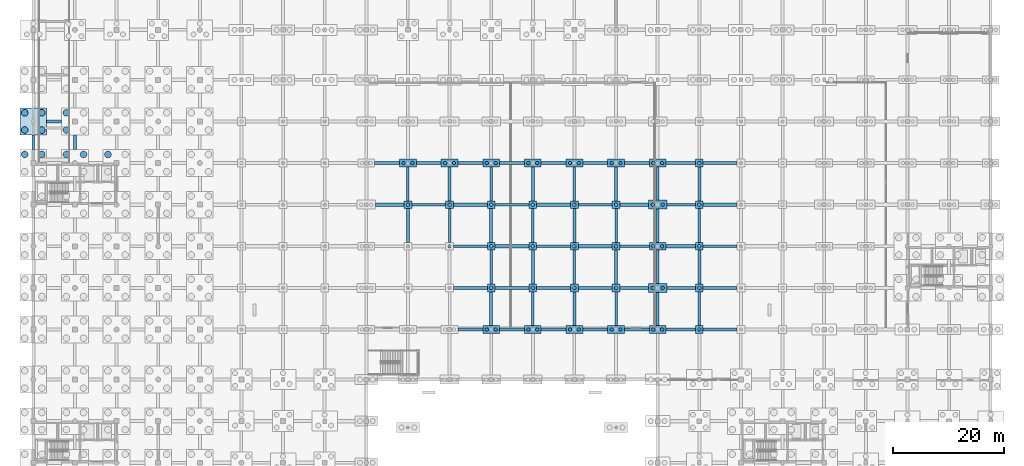
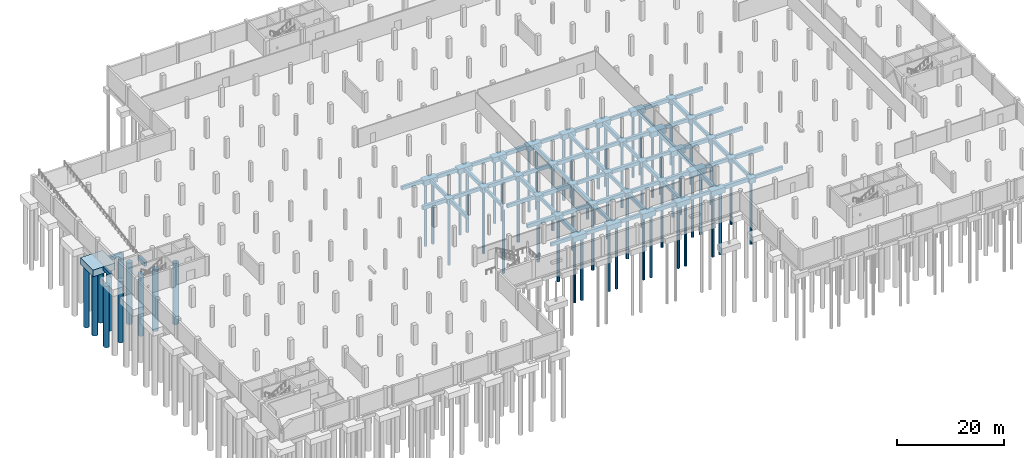
# One storey, part 5 of 42: 105 footings, 61 piles.
"""IFC4 building model written with IfcOpenShell, lengths in metres."""

from ifc_helpers import new_model, si_unit, direction, frame, origin, origin_2d, place, context, subcontext, project, spatial, rectangle, circle, extrude, material, material_profile, profile_set, type_object, element, save


model = new_model("IFC4")

# Units and contexts
model_context = context("Model", 3, precision=1e-05, world=origin(), true_north=direction((0.0, 1.0)))
body_context = subcontext(model_context, "Body", "Model", "MODEL_VIEW")
ifc_project = project(units=[si_unit("LENGTHUNIT", "METRE"), si_unit("AREAUNIT", "SQUARE_METRE"), si_unit("VOLUMEUNIT", "CUBIC_METRE"), si_unit("PLANEANGLEUNIT", "RADIAN"), si_unit("MASSUNIT", "GRAM", prefix="KILO")], contexts=[model_context])

# Site, building, storey
site_placement = place(None, origin())
site = spatial("IfcSite", under=ifc_project, at=site_placement, CompositionType="ELEMENT")
building_placement = place(site_placement, origin())
building = spatial("IfcBuilding", under=site, at=building_placement, Name="Dalvernix Boulevard General Hospital", CompositionType="ELEMENT")
storey_placement = place(building_placement, frame((0.0, 0.0, -4.5)))
storey = spatial("IfcBuildingStorey", under=building, at=storey_placement, Name="B1", CompositionType="ELEMENT", Elevation=-4.5)

# Footings
ifc_material_1 = material(Name="Concrete C35/45", Category="concrete")
footing_type_1 = type_object("IfcFootingType", Name="FTG-GB-01", PredefinedType="FOOTING_BEAM", material=ifc_material_1)
for number, where, z_axis, x_axis, name in (
    (1, (78.75, 31.5, -1.2998046875), (0.0, 0.0, 1.0), (1.0, 0.0, 0.0), "Ground beam E:11-12"),
    (2, (93.75, 31.5, -1.2998046875), (0.0, 0.0, 1.0), (1.0, 0.0, 0.0), "Ground beam E:13-14"),
    (3, (108.75, 31.5, -1.2998046875), (0.0, 0.0, 1.0), (1.0, 0.0, 0.0), "Ground beam E:15-16"),
):
    element("IfcFooting", number, at=place(storey_placement, frame(where, z_axis=z_axis, x_axis=x_axis)), inside=storey, type_object=footing_type_1, Name=name, PredefinedType="FOOTING_BEAM", context=body_context, shape_type="SweptSolid", body=[
        extrude(rectangle(XDim=4.5, YDim=0.5, at=origin_2d()), origin(), (0.0, 0.0, 1.0), 0.800048828125),
    ])
for number, where, z_axis, x_axis, name in (
    (4, (123.75, 31.5, -1.2998046875), (0.0, 0.0, 1.0), (1.0, 0.0, 0.0), "Ground beam E:17-18"),
    (5, (86.25, 39.0, -1.2998046875), (0.0, 0.0, 1.0), (1.0, 0.0, 0.0), "Ground beam F:12-13"),
    (6, (101.25, 39.0, -1.2998046875), (0.0, 0.0, 1.0), (1.0, 0.0, 0.0), "Ground beam F:14-15"),
):
    element("IfcFooting", number, at=place(storey_placement, frame(where, z_axis=z_axis, x_axis=x_axis)), inside=storey, type_object=footing_type_1, Name=name, PredefinedType="FOOTING_BEAM", context=body_context, shape_type="SweptSolid", body=[
        extrude(rectangle(XDim=6.10009765625, YDim=0.5, at=origin_2d()), origin(), (0.0, 0.0, 1.0), 0.800048828125),
    ])
footing_1_placement = place(storey_placement, frame((116.75, 39.0, -1.2998046875), z_axis=(0.0, 0.0, 1.0), x_axis=(1.0, 0.0, 0.0)))
element("IfcFooting", 7, at=footing_1_placement, inside=storey, type_object=footing_type_1, Name="Ground beam F:16-17", PredefinedType="FOOTING_BEAM", context=body_context, shape_type="SweptSolid", body=[
    extrude(rectangle(XDim=5.10009765625, YDim=0.5, at=origin_2d()), origin(), (0.0, 0.0, 1.0), 0.800048828125),
])
for number, where, z_axis, x_axis, name in (
    (8, (78.75, 46.5, -1.2998046875), (0.0, 0.0, 1.0), (1.0, 0.0, 0.0), "Ground beam G:11-12"),
    (9, (93.75, 46.5, -1.2998046875), (0.0, 0.0, 1.0), (1.0, 0.0, 0.0), "Ground beam G:13-14"),
):
    element("IfcFooting", number, at=place(storey_placement, frame(where, z_axis=z_axis, x_axis=x_axis)), inside=storey, type_object=footing_type_1, Name=name, PredefinedType="FOOTING_BEAM", context=body_context, shape_type="SweptSolid", body=[
        extrude(rectangle(XDim=6.10009765625, YDim=0.5, at=origin_2d()), origin(), (0.0, 0.0, 1.0), 0.800048828125),
    ])
footing_2_placement = place(storey_placement, frame((108.35009765625, 46.5, -1.2998046875), z_axis=(0.0, 0.0, 1.0), x_axis=(1.0, 0.0, 0.0)))
element("IfcFooting", 10, at=footing_2_placement, inside=storey, type_object=footing_type_1, Name="Ground beam G:15-16", PredefinedType="FOOTING_BEAM", context=body_context, shape_type="SweptSolid", body=[
    extrude(rectangle(XDim=5.300048828125, YDim=0.5, at=origin_2d()), origin(), (0.0, 0.0, 1.0), 0.800048828125),
])
for number, where, z_axis, x_axis, name in (
    (11, (123.75, 46.5, -1.2998046875), (0.0, 0.0, 1.0), (1.0, 0.0, 0.0), "Ground beam G:17-18"),
    (12, (71.25, 54.0, -1.2998046875), (0.0, 0.0, 1.0), (1.0, 0.0, 0.0), "Ground beam H:10-11"),
    (13, (86.25, 54.0, -1.2998046875), (0.0, 0.0, 1.0), (1.0, 0.0, 0.0), "Ground beam H:12-13"),
    (14, (101.25, 54.0, -1.2998046875), (0.0, 0.0, 1.0), (1.0, 0.0, 0.0), "Ground beam H:14-15"),
):
    element("IfcFooting", number, at=place(storey_placement, frame(where, z_axis=z_axis, x_axis=x_axis)), inside=storey, type_object=footing_type_1, Name=name, PredefinedType="FOOTING_BEAM", context=body_context, shape_type="SweptSolid", body=[
        extrude(rectangle(XDim=6.10009765625, YDim=0.5, at=origin_2d()), origin(), (0.0, 0.0, 1.0), 0.800048828125),
    ])
footing_3_placement = place(storey_placement, frame((116.75, 54.0, -1.2998046875), z_axis=(0.0, 0.0, 1.0), x_axis=(1.0, 0.0, 0.0)))
element("IfcFooting", 15, at=footing_3_placement, inside=storey, type_object=footing_type_1, Name="Ground beam H:16-17", PredefinedType="FOOTING_BEAM", context=body_context, shape_type="SweptSolid", body=[
    extrude(rectangle(XDim=5.10009765625, YDim=0.5, at=origin_2d()), origin(), (0.0, 0.0, 1.0), 0.800048828125),
])
for number, where, z_axis, x_axis, name in (
    (16, (63.75, 61.5, -1.2998046875), (0.0, 0.0, 1.0), (1.0, 0.0, 0.0), "Ground beam J:9-10"),
    (17, (78.75, 61.5, -1.2998046875), (0.0, 0.0, 1.0), (1.0, 0.0, 0.0), "Ground beam J:11-12"),
    (18, (93.75, 61.5, -1.2998046875), (0.0, 0.0, 1.0), (1.0, 0.0, 0.0), "Ground beam J:13-14"),
    (19, (108.75, 61.5, -1.2998046875), (0.0, 0.0, 1.0), (1.0, 0.0, 0.0), "Ground beam J:15-16"),
):
    element("IfcFooting", number, at=place(storey_placement, frame(where, z_axis=z_axis, x_axis=x_axis)), inside=storey, type_object=footing_type_1, Name=name, PredefinedType="FOOTING_BEAM", context=body_context, shape_type="SweptSolid", body=[
        extrude(rectangle(XDim=4.5, YDim=0.5, at=origin_2d()), origin(), (0.0, 0.0, 1.0), 0.800048828125),
    ])
footing_4_placement = place(storey_placement, frame((123.75, 61.5, -1.2998046875), z_axis=(0.0, 0.0, 1.0), x_axis=(1.0, 0.0, 0.0)))
element("IfcFooting", 20, at=footing_4_placement, inside=storey, type_object=footing_type_1, Name="Ground beam J:17-18", PredefinedType="FOOTING_BEAM", context=body_context, shape_type="SweptSolid", body=[
    extrude(rectangle(XDim=6.10009765625, YDim=0.5, at=origin_2d()), origin(), (0.0, 0.0, 1.0), 0.800048828125),
])
footing_type_2 = type_object("IfcFootingType", Name="FTG-GB-02", PredefinedType="FOOTING_BEAM", material=ifc_material_1)
for number, where, z_axis, x_axis, name in (
    (21, (86.25, 31.5, -1.35009765625), (0.0, 0.0, 1.0), (1.0, 0.0, 0.0), "Ground beam E:12-13"),
    (22, (101.25, 31.5, -1.35009765625), (0.0, 0.0, 1.0), (1.0, 0.0, 0.0), "Ground beam E:14-15"),
):
    element("IfcFooting", number, at=place(storey_placement, frame(where, z_axis=z_axis, x_axis=x_axis)), inside=storey, type_object=footing_type_2, Name=name, PredefinedType="FOOTING_BEAM", context=body_context, shape_type="SweptSolid", body=[
        extrude(rectangle(XDim=4.5, YDim=0.60009765625, at=origin_2d()), origin(), (0.0, 0.0, 1.0), 0.85009765625),
    ])
footing_5_placement = place(storey_placement, frame((116.64990234375, 31.5, -1.35009765625), z_axis=(0.0, 0.0, 1.0), x_axis=(1.0, 0.0, 0.0)))
element("IfcFooting", 23, at=footing_5_placement, inside=storey, type_object=footing_type_2, Name="Ground beam E:16-17", PredefinedType="FOOTING_BEAM", context=body_context, shape_type="SweptSolid", body=[
    extrude(rectangle(XDim=5.300048828125, YDim=0.60009765625, at=origin_2d()), origin(), (0.0, 0.0, 1.0), 0.85009765625),
])
for number, where, z_axis, x_axis, name in (
    (24, (78.75, 39.0, -1.35009765625), (0.0, 0.0, 1.0), (1.0, 0.0, 0.0), "Ground beam F:11-12"),
    (25, (93.75, 39.0, -1.35009765625), (0.0, 0.0, 1.0), (1.0, 0.0, 0.0), "Ground beam F:13-14"),
):
    element("IfcFooting", number, at=place(storey_placement, frame(where, z_axis=z_axis, x_axis=x_axis)), inside=storey, type_object=footing_type_2, Name=name, PredefinedType="FOOTING_BEAM", context=body_context, shape_type="SweptSolid", body=[
        extrude(rectangle(XDim=6.10009765625, YDim=0.60009765625, at=origin_2d()), origin(), (0.0, 0.0, 1.0), 0.85009765625),
    ])
footing_6_placement = place(storey_placement, frame((108.25, 39.0, -1.35009765625), z_axis=(0.0, 0.0, 1.0), x_axis=(1.0, 0.0, 0.0)))
element("IfcFooting", 26, at=footing_6_placement, inside=storey, type_object=footing_type_2, Name="Ground beam F:15-16", PredefinedType="FOOTING_BEAM", context=body_context, shape_type="SweptSolid", body=[
    extrude(rectangle(XDim=5.10009765625, YDim=0.60009765625, at=origin_2d()), origin(), (0.0, 0.0, 1.0), 0.85009765625),
])
for number, where, z_axis, x_axis, name in (
    (27, (123.75, 39.0, -1.35009765625), (0.0, 0.0, 1.0), (1.0, 0.0, 0.0), "Ground beam F:17-18"),
    (28, (86.25, 46.5, -1.35009765625), (0.0, 0.0, 1.0), (1.0, 0.0, 0.0), "Ground beam G:12-13"),
    (29, (101.25, 46.5, -1.35009765625), (0.0, 0.0, 1.0), (1.0, 0.0, 0.0), "Ground beam G:14-15"),
):
    element("IfcFooting", number, at=place(storey_placement, frame(where, z_axis=z_axis, x_axis=x_axis)), inside=storey, type_object=footing_type_2, Name=name, PredefinedType="FOOTING_BEAM", context=body_context, shape_type="SweptSolid", body=[
        extrude(rectangle(XDim=6.10009765625, YDim=0.60009765625, at=origin_2d()), origin(), (0.0, 0.0, 1.0), 0.85009765625),
    ])
footing_7_placement = place(storey_placement, frame((116.64990234375, 46.5, -1.35009765625), z_axis=(0.0, 0.0, 1.0), x_axis=(1.0, 0.0, 0.0)))
element("IfcFooting", 30, at=footing_7_placement, inside=storey, type_object=footing_type_2, Name="Ground beam G:16-17", PredefinedType="FOOTING_BEAM", context=body_context, shape_type="SweptSolid", body=[
    extrude(rectangle(XDim=5.300048828125, YDim=0.60009765625, at=origin_2d()), origin(), (0.0, 0.0, 1.0), 0.85009765625),
])
footing_8_placement = place(storey_placement, frame((64.25, 54.0, -1.35009765625), z_axis=(0.0, 0.0, 1.0), x_axis=(1.0, 0.0, 0.0)))
element("IfcFooting", 31, at=footing_8_placement, inside=storey, type_object=footing_type_2, Name="Ground beam H:9-10", PredefinedType="FOOTING_BEAM", context=body_context, shape_type="SweptSolid", body=[
    extrude(rectangle(XDim=5.10009765625, YDim=0.60009765625, at=origin_2d()), origin(), (0.0, 0.0, 1.0), 0.85009765625),
])
for number, where, z_axis, x_axis, name in (
    (32, (78.75, 54.0, -1.35009765625), (0.0, 0.0, 1.0), (1.0, 0.0, 0.0), "Ground beam H:11-12"),
    (33, (93.75, 54.0, -1.35009765625), (0.0, 0.0, 1.0), (1.0, 0.0, 0.0), "Ground beam H:13-14"),
):
    element("IfcFooting", number, at=place(storey_placement, frame(where, z_axis=z_axis, x_axis=x_axis)), inside=storey, type_object=footing_type_2, Name=name, PredefinedType="FOOTING_BEAM", context=body_context, shape_type="SweptSolid", body=[
        extrude(rectangle(XDim=6.10009765625, YDim=0.60009765625, at=origin_2d()), origin(), (0.0, 0.0, 1.0), 0.85009765625),
    ])
footing_9_placement = place(storey_placement, frame((108.25, 54.0, -1.35009765625), z_axis=(0.0, 0.0, 1.0), x_axis=(1.0, 0.0, 0.0)))
element("IfcFooting", 34, at=footing_9_placement, inside=storey, type_object=footing_type_2, Name="Ground beam H:15-16", PredefinedType="FOOTING_BEAM", context=body_context, shape_type="SweptSolid", body=[
    extrude(rectangle(XDim=5.10009765625, YDim=0.60009765625, at=origin_2d()), origin(), (0.0, 0.0, 1.0), 0.85009765625),
])
footing_10_placement = place(storey_placement, frame((123.75, 54.0, -1.35009765625), z_axis=(0.0, 0.0, 1.0), x_axis=(1.0, 0.0, 0.0)))
element("IfcFooting", 35, at=footing_10_placement, inside=storey, type_object=footing_type_2, Name="Ground beam H:17-18", PredefinedType="FOOTING_BEAM", context=body_context, shape_type="SweptSolid", body=[
    extrude(rectangle(XDim=6.10009765625, YDim=0.60009765625, at=origin_2d()), origin(), (0.0, 0.0, 1.0), 0.85009765625),
])
for number, where, z_axis, x_axis, name in (
    (36, (71.25, 61.5, -1.35009765625), (0.0, 0.0, 1.0), (1.0, 0.0, 0.0), "Ground beam J:10-11"),
    (37, (86.25, 61.5, -1.35009765625), (0.0, 0.0, 1.0), (1.0, 0.0, 0.0), "Ground beam J:12-13"),
    (38, (101.25, 61.5, -1.35009765625), (0.0, 0.0, 1.0), (1.0, 0.0, 0.0), "Ground beam J:14-15"),
):
    element("IfcFooting", number, at=place(storey_placement, frame(where, z_axis=z_axis, x_axis=x_axis)), inside=storey, type_object=footing_type_2, Name=name, PredefinedType="FOOTING_BEAM", context=body_context, shape_type="SweptSolid", body=[
        extrude(rectangle(XDim=4.5, YDim=0.60009765625, at=origin_2d()), origin(), (0.0, 0.0, 1.0), 0.85009765625),
    ])
footing_11_placement = place(storey_placement, frame((116.64990234375, 61.5, -1.35009765625), z_axis=(0.0, 0.0, 1.0), x_axis=(1.0, 0.0, 0.0)))
element("IfcFooting", 39, at=footing_11_placement, inside=storey, type_object=footing_type_2, Name="Ground beam J:16-17", PredefinedType="FOOTING_BEAM", context=body_context, shape_type="SweptSolid", body=[
    extrude(rectangle(XDim=5.300048828125, YDim=0.60009765625, at=origin_2d()), origin(), (0.0, 0.0, 1.0), 0.85009765625),
])
footing_12_placement = place(storey_placement, frame((3.75, 69.0, -1.35009765625), z_axis=(0.0, 0.0, 1.0), x_axis=(1.0, 0.0, 0.0)))
element("IfcFooting", 40, at=footing_12_placement, inside=storey, type_object=footing_type_2, Name="Ground beam K:1-2", PredefinedType="FOOTING_BEAM", context=body_context, shape_type="SweptSolid", body=[
    extrude(rectangle(XDim=2.699951171875, YDim=0.60009765625, at=origin_2d()), origin(), (0.0, 0.0, 1.0), 0.85009765625),
])
footing_type_3 = type_object("IfcFootingType", Name="FTG-GB-03", PredefinedType="FOOTING_BEAM", material=ifc_material_1)
footing_13_placement = place(storey_placement, frame((0.0, 65.25, -1.25), z_axis=(0.0, 0.0, 1.0), x_axis=(0.0, 1.0, 0.0)))
element("IfcFooting", 41, at=footing_13_placement, inside=storey, type_object=footing_type_3, Name="Ground beam 1:J-K", PredefinedType="FOOTING_BEAM", context=body_context, shape_type="SweptSolid", body=[
    extrude(rectangle(XDim=2.699951171875, YDim=0.449951171875, at=origin_2d()), origin(), (0.0, 0.0, 1.0), 0.75),
])
for number, where, z_axis, x_axis, name in (
    (42, (67.5, 57.75, -1.25), (0.0, 0.0, 1.0), (0.0, 1.0, 0.0), "Ground beam 10:H-J"),
    (43, (75.0, 50.25, -1.25), (0.0, 0.0, 1.0), (0.0, 1.0, 0.0), "Ground beam 11:G-H"),
    (44, (82.5, 42.75, -1.25), (0.0, 0.0, 1.0), (0.0, 1.0, 0.0), "Ground beam 12:F-G"),
    (45, (82.5, 57.75, -1.25), (0.0, 0.0, 1.0), (0.0, 1.0, 0.0), "Ground beam 12:H-J"),
    (46, (90.0, 35.25, -1.25), (0.0, 0.0, 1.0), (0.0, 1.0, 0.0), "Ground beam 13:E-F"),
    (47, (90.0, 50.25, -1.25), (0.0, 0.0, 1.0), (0.0, 1.0, 0.0), "Ground beam 13:G-H"),
    (48, (97.5, 42.75, -1.25), (0.0, 0.0, 1.0), (0.0, 1.0, 0.0), "Ground beam 14:F-G"),
    (49, (97.5, 57.75, -1.25), (0.0, 0.0, 1.0), (0.0, 1.0, 0.0), "Ground beam 14:H-J"),
    (50, (105.0, 35.25, -1.25), (0.0, 0.0, 1.0), (0.0, 1.0, 0.0), "Ground beam 15:E-F"),
    (51, (105.0, 50.25, -1.25), (0.0, 0.0, 1.0), (0.0, 1.0, 0.0), "Ground beam 15:G-H"),
):
    element("IfcFooting", number, at=place(storey_placement, frame(where, z_axis=z_axis, x_axis=x_axis)), inside=storey, type_object=footing_type_3, Name=name, PredefinedType="FOOTING_BEAM", context=body_context, shape_type="SweptSolid", body=[
        extrude(rectangle(XDim=6.10009765625, YDim=0.449951171875, at=origin_2d()), origin(), (0.0, 0.0, 1.0), 0.75),
    ])
for number, where, z_axis, x_axis, name in (
    (52, (112.5, 42.800048828125, -1.25), (0.0, 0.0, 1.0), (0.0, 1.0, 0.0), "Ground beam 16:F-G"),
    (53, (112.5, 57.800048828125, -1.25), (0.0, 0.0, 1.0), (0.0, 1.0, 0.0), "Ground beam 16:H-J"),
):
    element("IfcFooting", number, at=place(storey_placement, frame(where, z_axis=z_axis, x_axis=x_axis)), inside=storey, type_object=footing_type_3, Name=name, PredefinedType="FOOTING_BEAM", context=body_context, shape_type="SweptSolid", body=[
        extrude(rectangle(XDim=6.0, YDim=0.449951171875, at=origin_2d()), origin(), (0.0, 0.0, 1.0), 0.75),
    ])
for number, where, z_axis, x_axis, name in (
    (54, (120.0, 35.25, -1.25), (0.0, 0.0, 1.0), (0.0, 1.0, 0.0), "Ground beam 17:E-F"),
    (55, (120.0, 50.25, -1.25), (0.0, 0.0, 1.0), (0.0, 1.0, 0.0), "Ground beam 17:G-H"),
):
    element("IfcFooting", number, at=place(storey_placement, frame(where, z_axis=z_axis, x_axis=x_axis)), inside=storey, type_object=footing_type_3, Name=name, PredefinedType="FOOTING_BEAM", context=body_context, shape_type="SweptSolid", body=[
        extrude(rectangle(XDim=6.10009765625, YDim=0.449951171875, at=origin_2d()), origin(), (0.0, 0.0, 1.0), 0.75),
    ])
footing_type_4 = type_object("IfcFootingType", Name="FTG-GB-04", PredefinedType="FOOTING_BEAM", material=ifc_material_1)
footing_14_placement = place(storey_placement, frame((7.5, 65.25, -1.39990234375), z_axis=(0.0, 0.0, 1.0), x_axis=(0.0, 1.0, 0.0)))
element("IfcFooting", 56, at=footing_14_placement, inside=storey, type_object=footing_type_4, Name="Ground beam 2:J-K", PredefinedType="FOOTING_BEAM", context=body_context, shape_type="SweptSolid", body=[
    extrude(rectangle(XDim=2.699951171875, YDim=0.550048828125, at=origin_2d()), origin(), (0.0, 0.0, 1.0), 0.89990234375),
])
for number, where, z_axis, x_axis, name in (
    (57, (67.5, 50.25, -1.39990234375), (0.0, 0.0, 1.0), (0.0, 1.0, 0.0), "Ground beam 10:G-H"),
    (58, (75.0, 57.75, -1.39990234375), (0.0, 0.0, 1.0), (0.0, 1.0, 0.0), "Ground beam 11:H-J"),
    (59, (82.5, 35.25, -1.39990234375), (0.0, 0.0, 1.0), (0.0, 1.0, 0.0), "Ground beam 12:E-F"),
    (60, (82.5, 50.25, -1.39990234375), (0.0, 0.0, 1.0), (0.0, 1.0, 0.0), "Ground beam 12:G-H"),
    (61, (90.0, 42.75, -1.39990234375), (0.0, 0.0, 1.0), (0.0, 1.0, 0.0), "Ground beam 13:F-G"),
    (62, (90.0, 57.75, -1.39990234375), (0.0, 0.0, 1.0), (0.0, 1.0, 0.0), "Ground beam 13:H-J"),
    (63, (97.5, 35.25, -1.39990234375), (0.0, 0.0, 1.0), (0.0, 1.0, 0.0), "Ground beam 14:E-F"),
    (64, (97.5, 50.25, -1.39990234375), (0.0, 0.0, 1.0), (0.0, 1.0, 0.0), "Ground beam 14:G-H"),
    (65, (105.0, 42.75, -1.39990234375), (0.0, 0.0, 1.0), (0.0, 1.0, 0.0), "Ground beam 15:F-G"),
    (66, (105.0, 57.75, -1.39990234375), (0.0, 0.0, 1.0), (0.0, 1.0, 0.0), "Ground beam 15:H-J"),
):
    element("IfcFooting", number, at=place(storey_placement, frame(where, z_axis=z_axis, x_axis=x_axis)), inside=storey, type_object=footing_type_4, Name=name, PredefinedType="FOOTING_BEAM", context=body_context, shape_type="SweptSolid", body=[
        extrude(rectangle(XDim=6.10009765625, YDim=0.550048828125, at=origin_2d()), origin(), (0.0, 0.0, 1.0), 0.89990234375),
    ])
for number, where, z_axis, x_axis, name in (
    (67, (112.5, 35.199951171875, -1.39990234375), (0.0, 0.0, 1.0), (0.0, 1.0, 0.0), "Ground beam 16:E-F"),
    (68, (112.5, 50.199951171875, -1.39990234375), (0.0, 0.0, 1.0), (0.0, 1.0, 0.0), "Ground beam 16:G-H"),
):
    element("IfcFooting", number, at=place(storey_placement, frame(where, z_axis=z_axis, x_axis=x_axis)), inside=storey, type_object=footing_type_4, Name=name, PredefinedType="FOOTING_BEAM", context=body_context, shape_type="SweptSolid", body=[
        extrude(rectangle(XDim=6.0, YDim=0.550048828125, at=origin_2d()), origin(), (0.0, 0.0, 1.0), 0.89990234375),
    ])
for number, where, z_axis, x_axis, name in (
    (69, (120.0, 42.75, -1.39990234375), (0.0, 0.0, 1.0), (0.0, 1.0, 0.0), "Ground beam 17:F-G"),
    (70, (120.0, 57.75, -1.39990234375), (0.0, 0.0, 1.0), (0.0, 1.0, 0.0), "Ground beam 17:H-J"),
):
    element("IfcFooting", number, at=place(storey_placement, frame(where, z_axis=z_axis, x_axis=x_axis)), inside=storey, type_object=footing_type_4, Name=name, PredefinedType="FOOTING_BEAM", context=body_context, shape_type="SweptSolid", body=[
        extrude(rectangle(XDim=6.10009765625, YDim=0.550048828125, at=origin_2d()), origin(), (0.0, 0.0, 1.0), 0.89990234375),
    ])
ifc_material_2 = material(Name="Concrete C40/50", Category="concrete")
footing_type_5 = type_object("IfcFootingType", Name="FTG-PC-01", PredefinedType="PILE_CAP", material=ifc_material_2)
for number, where, z_axis, x_axis, name in (
    (71, (67.5, 54.0, -1.7001953125), (0.0, 0.0, 1.0), (1.0, 0.0, 0.0), "Pile cap 10H"),
    (72, (75.0, 54.0, -1.7001953125), (0.0, 0.0, 1.0), (1.0, 0.0, 0.0), "Pile cap 11H"),
    (73, (82.5, 39.0, -1.7001953125), (0.0, 0.0, 1.0), (1.0, 0.0, 0.0), "Pile cap 12F"),
    (74, (82.5, 46.5, -1.7001953125), (0.0, 0.0, 1.0), (1.0, 0.0, 0.0), "Pile cap 12G"),
    (75, (82.5, 54.0, -1.7001953125), (0.0, 0.0, 1.0), (1.0, 0.0, 0.0), "Pile cap 12H"),
    (76, (90.0, 39.0, -1.7001953125), (0.0, 0.0, 1.0), (1.0, 0.0, 0.0), "Pile cap 13F"),
    (77, (90.0, 46.5, -1.7001953125), (0.0, 0.0, 1.0), (1.0, 0.0, 0.0), "Pile cap 13G"),
    (78, (90.0, 54.0, -1.7001953125), (0.0, 0.0, 1.0), (1.0, 0.0, 0.0), "Pile cap 13H"),
    (79, (97.5, 39.0, -1.7001953125), (0.0, 0.0, 1.0), (1.0, 0.0, 0.0), "Pile cap 14F"),
    (80, (97.5, 46.5, -1.7001953125), (0.0, 0.0, 1.0), (1.0, 0.0, 0.0), "Pile cap 14G"),
    (81, (97.5, 54.0, -1.7001953125), (0.0, 0.0, 1.0), (1.0, 0.0, 0.0), "Pile cap 14H"),
    (82, (105.0, 39.0, -1.7001953125), (0.0, 0.0, 1.0), (1.0, 0.0, 0.0), "Pile cap 15F"),
    (83, (105.0, 46.5, -1.7001953125), (0.0, 0.0, 1.0), (1.0, 0.0, 0.0), "Pile cap 15G"),
    (84, (105.0, 54.0, -1.7001953125), (0.0, 0.0, 1.0), (1.0, 0.0, 0.0), "Pile cap 15H"),
    (85, (120.0, 31.5, -1.7001953125), (0.0, 0.0, 1.0), (1.0, 0.0, 0.0), "Pile cap 17E"),
    (86, (120.0, 39.0, -1.7001953125), (0.0, 0.0, 1.0), (1.0, 0.0, 0.0), "Pile cap 17F"),
    (87, (120.0, 46.5, -1.7001953125), (0.0, 0.0, 1.0), (1.0, 0.0, 0.0), "Pile cap 17G"),
    (88, (120.0, 54.0, -1.7001953125), (0.0, 0.0, 1.0), (1.0, 0.0, 0.0), "Pile cap 17H"),
    (89, (120.0, 61.5, -1.7001953125), (0.0, 0.0, 1.0), (1.0, 0.0, 0.0), "Pile cap 17J"),
):
    element("IfcFooting", number, at=place(storey_placement, frame(where, z_axis=z_axis, x_axis=x_axis)), inside=storey, type_object=footing_type_5, Name=name, PredefinedType="PILE_CAP", context=body_context, shape_type="SweptSolid", body=[
        extrude(rectangle(XDim=1.39990234375, YDim=1.39990234375, at=origin_2d()), origin(), (0.0, 0.0, 1.0), 1.199951171875),
    ])
footing_type_6 = type_object("IfcFootingType", Name="FTG-PC-02", PredefinedType="PILE_CAP", material=ifc_material_2)
for number, where, z_axis, x_axis, name in (
    (90, (67.5, 61.5, -1.7001953125), (0.0, 0.0, 1.0), (1.0, 0.0, 0.0), "Pile cap 10J"),
    (91, (75.0, 61.5, -1.7001953125), (0.0, 0.0, 1.0), (1.0, 0.0, 0.0), "Pile cap 11J"),
    (92, (82.5, 31.5, -1.7001953125), (0.0, 0.0, 1.0), (1.0, 0.0, 0.0), "Pile cap 12E"),
    (93, (82.5, 61.5, -1.7001953125), (0.0, 0.0, 1.0), (1.0, 0.0, 0.0), "Pile cap 12J"),
    (94, (90.0, 31.5, -1.7001953125), (0.0, 0.0, 1.0), (1.0, 0.0, 0.0), "Pile cap 13E"),
    (95, (90.0, 61.5, -1.7001953125), (0.0, 0.0, 1.0), (1.0, 0.0, 0.0), "Pile cap 13J"),
    (96, (97.5, 31.5, -1.7001953125), (0.0, 0.0, 1.0), (1.0, 0.0, 0.0), "Pile cap 14E"),
    (97, (97.5, 61.5, -1.7001953125), (0.0, 0.0, 1.0), (1.0, 0.0, 0.0), "Pile cap 14J"),
    (98, (105.0, 31.5, -1.7001953125), (0.0, 0.0, 1.0), (1.0, 0.0, 0.0), "Pile cap 15E"),
    (99, (105.0, 61.5, -1.7001953125), (0.0, 0.0, 1.0), (1.0, 0.0, 0.0), "Pile cap 15J"),
    (100, (112.5, 31.5, -1.7001953125), (0.0, 0.0, 1.0), (1.0, 0.0, 0.0), "Pile cap 16E"),
    (101, (112.5, 46.5, -1.7001953125), (0.0, 0.0, 1.0), (1.0, 0.0, 0.0), "Pile cap 16G"),
    (102, (112.5, 61.5, -1.7001953125), (0.0, 0.0, 1.0), (1.0, 0.0, 0.0), "Pile cap 16J"),
):
    element("IfcFooting", number, at=place(storey_placement, frame(where, z_axis=z_axis, x_axis=x_axis)), inside=storey, type_object=footing_type_6, Name=name, PredefinedType="PILE_CAP", context=body_context, shape_type="SweptSolid", body=[
        extrude(rectangle(XDim=3.0, YDim=1.39990234375, at=origin_2d()), origin(), (0.0, 0.0, 1.0), 1.199951171875),
    ])
footing_type_7 = type_object("IfcFootingType", Name="FTG-PC-03", PredefinedType="PILE_CAP", material=ifc_material_2)
for number, where, z_axis, x_axis, name in (
    (103, (112.5, 39.0, -1.75), (0.0, 0.0, 1.0), (1.0, 0.0, 0.0), "Pile cap 16F"),
    (104, (112.5, 54.0, -1.75), (0.0, 0.0, 1.0), (1.0, 0.0, 0.0), "Pile cap 16H"),
):
    element("IfcFooting", number, at=place(storey_placement, frame(where, z_axis=z_axis, x_axis=x_axis)), inside=storey, type_object=footing_type_7, Name=name, PredefinedType="PILE_CAP", context=body_context, shape_type="SweptSolid", body=[
        extrude(rectangle(XDim=3.39990234375, YDim=1.60009765625, at=origin_2d()), origin(), (0.0, 0.0, 1.0), 1.25),
    ])
footing_type_8 = type_object("IfcFootingType", Name="FTG-PC-09", PredefinedType="PILE_CAP", material=ifc_material_2)
footing_15_placement = place(storey_placement, frame((0.0, 69.0, -2.0), z_axis=(0.0, 0.0, 1.0), x_axis=(1.0, 0.0, 0.0)))
element("IfcFooting", 105, at=footing_15_placement, inside=storey, type_object=footing_type_8, Name="Pile cap 1K", PredefinedType="PILE_CAP", context=body_context, shape_type="SweptSolid", body=[
    extrude(rectangle(XDim=4.800048828125, YDim=4.800048828125, at=origin_2d()), origin(), (0.0, 0.0, 1.0), 1.5),
])

# Piles
ifc_material_profile_1 = material_profile(ifc_material_1, circle(Radius=0.300048828125, at=origin_2d()), Name="BORED PILE D600")
ifc_profile_set_1 = profile_set([ifc_material_profile_1], Name="Concrete C35/45")
pile_type_1 = type_object("IfcPileType", Name="PILE-PL-01", PredefinedType="BORED", material=ifc_profile_set_1)
for number, where, z_axis, x_axis, name in (
    (106, (67.5, 54.0, -1.60009765625), (0.0, 0.0, -1.0), (1.0, 0.0, 0.0), "Bored pile 10H-1"),
    (107, (66.699951171875, 61.5, -1.60009765625), (0.0, 0.0, -1.0), (1.0, 0.0, 0.0), "Bored pile 10J-1"),
    (108, (68.300048828125, 61.5, -1.60009765625), (0.0, 0.0, -1.0), (1.0, 0.0, 0.0), "Bored pile 10J-2"),
    (109, (75.0, 46.5, -1.60009765625), (0.0, 0.0, -1.0), (1.0, 0.0, 0.0), "Bored pile 11G-1"),
    (110, (75.0, 54.0, -1.60009765625), (0.0, 0.0, -1.0), (1.0, 0.0, 0.0), "Bored pile 11H-1"),
    (111, (74.199951171875, 61.5, -1.60009765625), (0.0, 0.0, -1.0), (1.0, 0.0, 0.0), "Bored pile 11J-1"),
    (112, (75.800048828125, 61.5, -1.60009765625), (0.0, 0.0, -1.0), (1.0, 0.0, 0.0), "Bored pile 11J-2"),
    (113, (81.699951171875, 31.5, -1.60009765625), (0.0, 0.0, -1.0), (1.0, 0.0, 0.0), "Bored pile 12E-1"),
    (114, (83.300048828125, 31.5, -1.60009765625), (0.0, 0.0, -1.0), (1.0, 0.0, 0.0), "Bored pile 12E-2"),
    (115, (82.5, 39.0, -1.60009765625), (0.0, 0.0, -1.0), (1.0, 0.0, 0.0), "Bored pile 12F-1"),
    (116, (82.5, 46.5, -1.60009765625), (0.0, 0.0, -1.0), (1.0, 0.0, 0.0), "Bored pile 12G-1"),
    (117, (82.5, 54.0, -1.60009765625), (0.0, 0.0, -1.0), (1.0, 0.0, 0.0), "Bored pile 12H-1"),
    (118, (81.699951171875, 61.5, -1.60009765625), (0.0, 0.0, -1.0), (1.0, 0.0, 0.0), "Bored pile 12J-1"),
    (119, (83.300048828125, 61.5, -1.60009765625), (0.0, 0.0, -1.0), (1.0, 0.0, 0.0), "Bored pile 12J-2"),
    (120, (89.199951171875, 31.5, -1.60009765625), (0.0, 0.0, -1.0), (1.0, 0.0, 0.0), "Bored pile 13E-1"),
    (121, (90.800048828125, 31.5, -1.60009765625), (0.0, 0.0, -1.0), (1.0, 0.0, 0.0), "Bored pile 13E-2"),
    (122, (90.0, 39.0, -1.60009765625), (0.0, 0.0, -1.0), (1.0, 0.0, 0.0), "Bored pile 13F-1"),
    (123, (90.0, 46.5, -1.60009765625), (0.0, 0.0, -1.0), (1.0, 0.0, 0.0), "Bored pile 13G-1"),
    (124, (90.0, 54.0, -1.60009765625), (0.0, 0.0, -1.0), (1.0, 0.0, 0.0), "Bored pile 13H-1"),
    (125, (89.199951171875, 61.5, -1.60009765625), (0.0, 0.0, -1.0), (1.0, 0.0, 0.0), "Bored pile 13J-1"),
    (126, (90.800048828125, 61.5, -1.60009765625), (0.0, 0.0, -1.0), (1.0, 0.0, 0.0), "Bored pile 13J-2"),
    (127, (96.699951171875, 31.5, -1.60009765625), (0.0, 0.0, -1.0), (1.0, 0.0, 0.0), "Bored pile 14E-1"),
    (128, (98.300048828125, 31.5, -1.60009765625), (0.0, 0.0, -1.0), (1.0, 0.0, 0.0), "Bored pile 14E-2"),
    (129, (97.5, 39.0, -1.60009765625), (0.0, 0.0, -1.0), (1.0, 0.0, 0.0), "Bored pile 14F-1"),
    (130, (97.5, 46.5, -1.60009765625), (0.0, 0.0, -1.0), (1.0, 0.0, 0.0), "Bored pile 14G-1"),
    (131, (97.5, 54.0, -1.60009765625), (0.0, 0.0, -1.0), (1.0, 0.0, 0.0), "Bored pile 14H-1"),
    (132, (96.699951171875, 61.5, -1.60009765625), (0.0, 0.0, -1.0), (1.0, 0.0, 0.0), "Bored pile 14J-1"),
    (133, (98.300048828125, 61.5, -1.60009765625), (0.0, 0.0, -1.0), (1.0, 0.0, 0.0), "Bored pile 14J-2"),
    (134, (104.199951171875, 31.5, -1.60009765625), (0.0, 0.0, -1.0), (1.0, 0.0, 0.0), "Bored pile 15E-1"),
    (135, (105.800048828125, 31.5, -1.60009765625), (0.0, 0.0, -1.0), (1.0, 0.0, 0.0), "Bored pile 15E-2"),
    (136, (105.0, 39.0, -1.60009765625), (0.0, 0.0, -1.0), (1.0, 0.0, 0.0), "Bored pile 15F-1"),
    (137, (105.0, 46.5, -1.60009765625), (0.0, 0.0, -1.0), (1.0, 0.0, 0.0), "Bored pile 15G-1"),
    (138, (105.0, 54.0, -1.60009765625), (0.0, 0.0, -1.0), (1.0, 0.0, 0.0), "Bored pile 15H-1"),
    (139, (104.199951171875, 61.5, -1.60009765625), (0.0, 0.0, -1.0), (1.0, 0.0, 0.0), "Bored pile 15J-1"),
    (140, (105.800048828125, 61.5, -1.60009765625), (0.0, 0.0, -1.0), (1.0, 0.0, 0.0), "Bored pile 15J-2"),
    (141, (111.699951171875, 31.5, -1.60009765625), (0.0, 0.0, -1.0), (1.0, 0.0, 0.0), "Bored pile 16E-1"),
    (142, (113.300048828125, 31.5, -1.60009765625), (0.0, 0.0, -1.0), (1.0, 0.0, 0.0), "Bored pile 16E-2"),
):
    element("IfcPile", number, at=place(storey_placement, frame(where, z_axis=z_axis, x_axis=x_axis)), inside=storey, type_object=pile_type_1, Name=name, PredefinedType="BORED", context=body_context, shape_type="SweptSolid", body=[
        extrude(circle(Radius=0.300048828125, at=origin_2d()), origin(), (0.0, 0.0, 1.0), 14.39990234375),
    ])
for number, where, z_axis, x_axis, name in (
    (143, (111.60009765625, 39.0, -1.64990234375), (0.0, 0.0, -1.0), (1.0, 0.0, 0.0), "Bored pile 16F-1"),
    (144, (113.39990234375, 39.0, -1.64990234375), (0.0, 0.0, -1.0), (1.0, 0.0, 0.0), "Bored pile 16F-2"),
):
    element("IfcPile", number, at=place(storey_placement, frame(where, z_axis=z_axis, x_axis=x_axis)), inside=storey, type_object=pile_type_1, Name=name, PredefinedType="BORED", context=body_context, shape_type="SweptSolid", body=[
        extrude(circle(Radius=0.300048828125, at=origin_2d()), origin(), (0.0, 0.0, 1.0), 14.35009765625),
    ])
for number, where, z_axis, x_axis, name in (
    (145, (111.699951171875, 46.5, -1.60009765625), (0.0, 0.0, -1.0), (1.0, 0.0, 0.0), "Bored pile 16G-1"),
    (146, (113.300048828125, 46.5, -1.60009765625), (0.0, 0.0, -1.0), (1.0, 0.0, 0.0), "Bored pile 16G-2"),
):
    element("IfcPile", number, at=place(storey_placement, frame(where, z_axis=z_axis, x_axis=x_axis)), inside=storey, type_object=pile_type_1, Name=name, PredefinedType="BORED", context=body_context, shape_type="SweptSolid", body=[
        extrude(circle(Radius=0.300048828125, at=origin_2d()), origin(), (0.0, 0.0, 1.0), 14.39990234375),
    ])
for number, where, z_axis, x_axis, name in (
    (147, (111.60009765625, 54.0, -1.64990234375), (0.0, 0.0, -1.0), (1.0, 0.0, 0.0), "Bored pile 16H-1"),
    (148, (113.39990234375, 54.0, -1.64990234375), (0.0, 0.0, -1.0), (1.0, 0.0, 0.0), "Bored pile 16H-2"),
):
    element("IfcPile", number, at=place(storey_placement, frame(where, z_axis=z_axis, x_axis=x_axis)), inside=storey, type_object=pile_type_1, Name=name, PredefinedType="BORED", context=body_context, shape_type="SweptSolid", body=[
        extrude(circle(Radius=0.300048828125, at=origin_2d()), origin(), (0.0, 0.0, 1.0), 14.35009765625),
    ])
for number, where, z_axis, x_axis, name in (
    (149, (111.699951171875, 61.5, -1.60009765625), (0.0, 0.0, -1.0), (1.0, 0.0, 0.0), "Bored pile 16J-1"),
    (150, (113.300048828125, 61.5, -1.60009765625), (0.0, 0.0, -1.0), (1.0, 0.0, 0.0), "Bored pile 16J-2"),
    (151, (120.0, 31.5, -1.60009765625), (0.0, 0.0, -1.0), (1.0, 0.0, 0.0), "Bored pile 17E-1"),
    (152, (120.0, 39.0, -1.60009765625), (0.0, 0.0, -1.0), (1.0, 0.0, 0.0), "Bored pile 17F-1"),
    (153, (120.0, 46.5, -1.60009765625), (0.0, 0.0, -1.0), (1.0, 0.0, 0.0), "Bored pile 17G-1"),
    (154, (120.0, 54.0, -1.60009765625), (0.0, 0.0, -1.0), (1.0, 0.0, 0.0), "Bored pile 17H-1"),
    (155, (120.0, 61.5, -1.60009765625), (0.0, 0.0, -1.0), (1.0, 0.0, 0.0), "Bored pile 17J-1"),
):
    element("IfcPile", number, at=place(storey_placement, frame(where, z_axis=z_axis, x_axis=x_axis)), inside=storey, type_object=pile_type_1, Name=name, PredefinedType="BORED", context=body_context, shape_type="SweptSolid", body=[
        extrude(circle(Radius=0.300048828125, at=origin_2d()), origin(), (0.0, 0.0, 1.0), 14.39990234375),
    ])
ifc_material_profile_2 = material_profile(ifc_material_1, circle(Radius=0.60009765625, at=origin_2d()), Name="BORED PILE D1200")
ifc_profile_set_2 = profile_set([ifc_material_profile_2], Name="Concrete C35/45")
pile_type_2 = type_object("IfcPileType", Name="PILE-PL-03", PredefinedType="BORED", material=ifc_profile_set_2)
for number, where, z_axis, x_axis, name in (
    (156, (-1.550048828125, 63.050048828125, -1.89990234375), (0.0, 0.0, -1.0), (1.0, 0.0, 0.0), "Bored pile 1J-3"),
    (157, (1.550048828125, 63.050048828125, -1.89990234375), (0.0, 0.0, -1.0), (1.0, 0.0, 0.0), "Bored pile 1J-4"),
    (158, (-1.550048828125, 67.449951171875, -1.89990234375), (0.0, 0.0, -1.0), (1.0, 0.0, 0.0), "Bored pile 1K-1"),
    (159, (1.550048828125, 67.449951171875, -1.89990234375), (0.0, 0.0, -1.0), (1.0, 0.0, 0.0), "Bored pile 1K-2"),
    (160, (-1.550048828125, 70.550048828125, -1.89990234375), (0.0, 0.0, -1.0), (1.0, 0.0, 0.0), "Bored pile 1K-3"),
    (161, (1.550048828125, 70.550048828125, -1.89990234375), (0.0, 0.0, -1.0), (1.0, 0.0, 0.0), "Bored pile 1K-4"),
    (162, (5.949951171875, 63.050048828125, -1.89990234375), (0.0, 0.0, -1.0), (1.0, 0.0, 0.0), "Bored pile 2J-3"),
    (163, (9.050048828125, 63.050048828125, -1.89990234375), (0.0, 0.0, -1.0), (1.0, 0.0, 0.0), "Bored pile 2J-4"),
    (164, (5.949951171875, 67.449951171875, -1.89990234375), (0.0, 0.0, -1.0), (1.0, 0.0, 0.0), "Bored pile 2K-1"),
    (165, (5.949951171875, 70.550048828125, -1.89990234375), (0.0, 0.0, -1.0), (1.0, 0.0, 0.0), "Bored pile 2K-3"),
    (166, (13.449951171875, 63.050048828125, -1.89990234375), (0.0, 0.0, -1.0), (1.0, 0.0, 0.0), "Bored pile 3J-3"),
):
    element("IfcPile", number, at=place(storey_placement, frame(where, z_axis=z_axis, x_axis=x_axis)), inside=storey, type_object=pile_type_2, Name=name, PredefinedType="BORED", context=body_context, shape_type="SweptSolid", body=[
        extrude(circle(Radius=0.60009765625, at=origin_2d()), origin(), (0.0, 0.0, 1.0), 14.10009765625),
    ])

save(model, "model.ifc")
